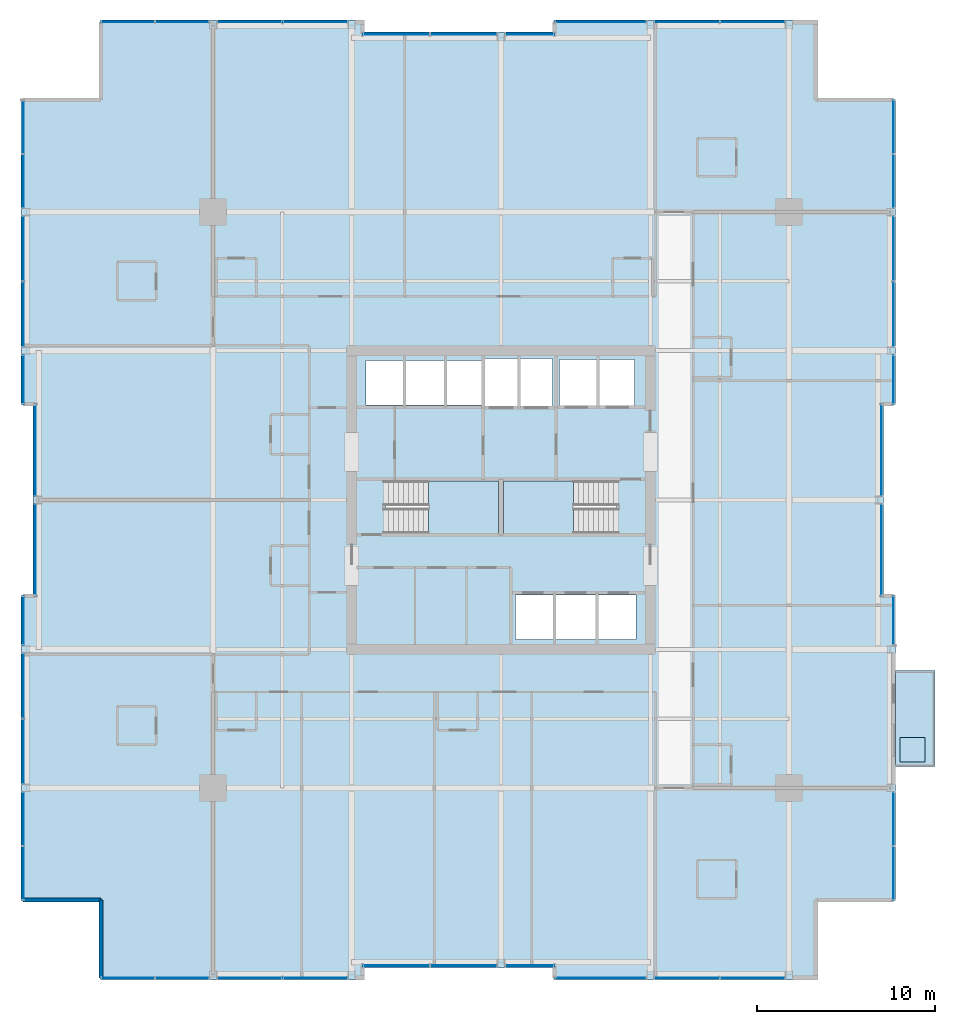
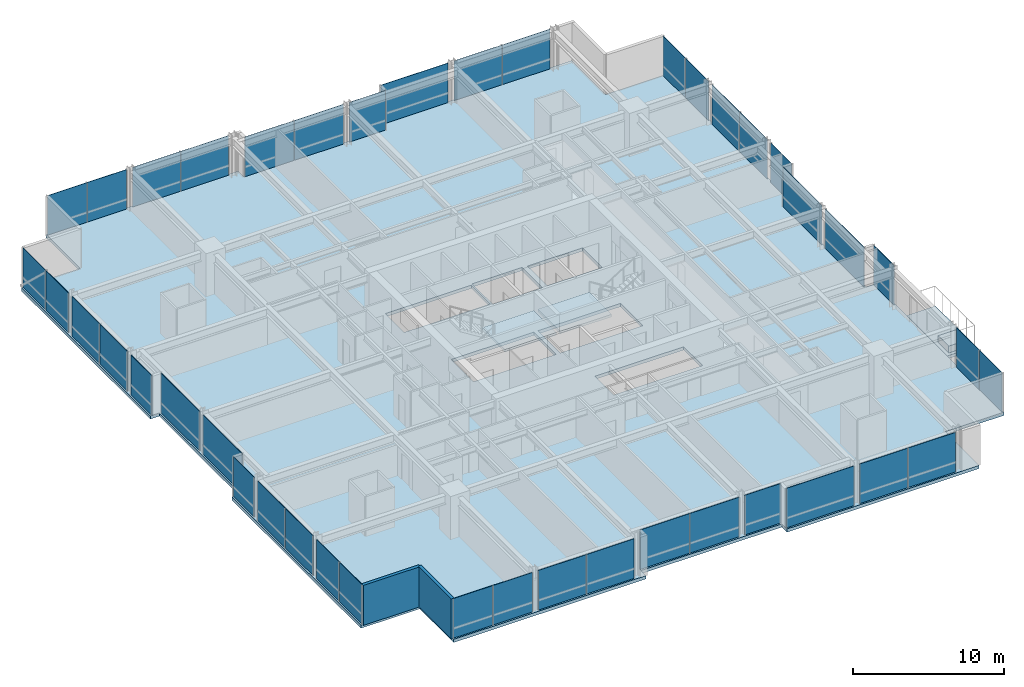
# One storey, part 27 of 33: 42 plates, 5 slabs, 2 walls, 29 elements without a shape of their own.
"""IFC4 building model written with IfcOpenShell, lengths in metres."""

from ifc_helpers import new_model, si_unit, direction, frame, frame_2d, origin, origin_2d, place, context, subcontext, project, spatial, polyline, rectangle, outline, extrude, material, layer, layer_set, type_object, element, aggregate, save


model = new_model("IFC4")

# Units and contexts
model_context = context("Model", 3, precision=1e-05, world=origin(), true_north=direction((0.0, 1.0)))
body_context = subcontext(model_context, "Body", "Model", "MODEL_VIEW")
ifc_project = project(units=[si_unit("LENGTHUNIT", "METRE"), si_unit("AREAUNIT", "SQUARE_METRE"), si_unit("VOLUMEUNIT", "CUBIC_METRE"), si_unit("PLANEANGLEUNIT", "RADIAN"), si_unit("MASSUNIT", "GRAM", prefix="KILO")], contexts=[model_context])

# Site, building, storey
site_placement = place(None, origin())
site = spatial("IfcSite", under=ifc_project, at=site_placement, CompositionType="ELEMENT")
building_placement = place(site_placement, origin())
building = spatial("IfcBuilding", under=site, at=building_placement, Name="Drelvath Grand Hotel", CompositionType="ELEMENT")
storey_placement = place(building_placement, frame((0.0, 0.0, 119.800048828125)))
storey = spatial("IfcBuildingStorey", under=building, at=storey_placement, Name="L30", CompositionType="ELEMENT", Elevation=119.800048828125)

# Slabs
ifc_material_1 = material(Name="Concrete f'c 40 MPa", Category="concrete")
ifc_layer_1 = layer(ifc_material_1, 0.239990234375)
ifc_layer_set_1 = layer_set([ifc_layer_1], Name="Concrete f'c 40 MPa")
slab_type_1 = type_object("IfcSlabType", Name="Cantilevered Tree Balcony Slab 240", PredefinedType="FLOOR", material=ifc_layer_set_1)
slab_1_placement = place(storey_placement, frame((0.0, 0.0, -0.239990234375)))
element("IfcSlab", 1, at=slab_1_placement, inside=storey, type_object=slab_type_1, Name="L30 Cantilevered Tree Balcony Slab 1", PredefinedType="FLOOR", context=body_context, shape_type="SweptSolid", body=[
    extrude(outline(polyline([(22.199951171875, 12.0), (24.39990234375, 12.0), (24.39990234375, 17.39990234375), (22.199951171875, 17.39990234375), (22.199951171875, 12.0)])), origin(), (0.0, 0.0, 1.0), 0.239990234375),
])
ifc_layer_2 = layer(ifc_material_1, 0.260009765625)
ifc_layer_set_2 = layer_set([ifc_layer_2], Name="Concrete f'c 40 MPa")
slab_type_2 = type_object("IfcSlabType", Name="Composite RC Floor Slab 260", PredefinedType="FLOOR", material=ifc_layer_set_2)
slab_2_placement = place(storey_placement, frame((0.0, 0.0, -0.260009765625)))
element("IfcSlab", 2, at=slab_2_placement, inside=storey, type_object=slab_type_2, Name="L30 Structural Floor Slab", PredefinedType="FLOOR", context=body_context, shape_type="SweptSolid", body=[
    extrude(outline(polyline([(-22.5, 0.0), (-7.800048828125, 0.0), (-7.800048828125, 0.679931640625), (3.0, 0.679931640625), (3.0, 0.0), (17.699951171875, 0.0), (17.699951171875, 4.5), (22.199951171875, 4.5), (22.199951171875, 21.60009765625), (21.52001953125, 21.60009765625), (21.52001953125, 32.39990234375), (22.199951171875, 32.39990234375), (22.199951171875, 49.5), (17.699951171875, 49.5), (17.699951171875, 54.0), (3.0, 54.0), (3.0, 53.320068359375), (-7.800048828125, 53.320068359375), (-7.800048828125, 54.0), (-22.5, 54.0), (-22.5, 49.5), (-27.0, 49.5), (-27.0, 32.39990234375), (-26.320068359375, 32.39990234375), (-26.320068359375, 21.60009765625), (-27.0, 21.60009765625), (-27.0, 4.5), (-22.5, 4.5), (-22.5, 0.0)]), holes=[polyline([(-6.47998046875, 25.1201171875), (-6.47998046875, 28.080078125), (-0.14990234375, 28.080078125), (-0.14990234375, 25.1201171875), (-6.47998046875, 25.1201171875)]), polyline([(0.14990234375, 25.1201171875), (0.14990234375, 28.080078125), (6.47998046875, 28.080078125), (6.47998046875, 25.1201171875), (0.14990234375, 25.1201171875)]), polyline([(0.800048828125, 19.14990234375), (0.800048828125, 21.64990234375), (7.60009765625, 21.64990234375), (7.60009765625, 19.14990234375), (0.800048828125, 19.14990234375)]), polyline([(-7.60009765625, 32.35009765625), (-7.60009765625, 34.85009765625), (-1.02001953125, 34.85009765625), (-1.02001953125, 32.35009765625), (-7.60009765625, 32.35009765625)]), polyline([(-0.89990234375, 32.25), (-0.89990234375, 34.949951171875), (2.89990234375, 34.949951171875), (2.89990234375, 32.25), (-0.89990234375, 32.25)]), polyline([(3.300048828125, 32.300048828125), (3.300048828125, 34.89990234375), (7.5, 34.89990234375), (7.5, 32.300048828125), (3.300048828125, 32.300048828125)])]), origin(), (0.0, 0.0, 1.0), 0.260009765625),
])

# Stair, slab
ifc_material_2 = material(Name="Concrete C40/50", Category="concrete")
stair_type = type_object("IfcStairType", Name="Dogleg Exit Stair W1400-R175.0", PredefinedType="HALF_TURN_STAIR", material=ifc_material_2)
stair_1_placement = place(storey_placement, origin())
stair_1 = element("IfcStair", 3, at=stair_1_placement, inside=storey, type_object=stair_type, Name="L30 Core Exit Stair ST-1", PredefinedType="HALF_TURN_STAIR")
ifc_layer_3 = layer(ifc_material_2, 0.199951171875)
ifc_layer_set_3 = layer_set([ifc_layer_3], Name="Concrete C40/50")
slab_type_3 = type_object("IfcSlabType", Name="Concrete Stair Landing Slab 200", PredefinedType="LANDING", material=ifc_layer_set_3)
slab_3_placement = place(storey_placement, frame((0.0, 0.0, 1.550048828125)))
slab_3 = element("IfcSlab", 4, at=slab_3_placement, type_object=slab_type_3, Name="ST-1 landing 1", PredefinedType="LANDING", context=body_context, shape_type="SweptSolid", body=[
    extrude(outline(polyline([(-4.080078125, 25.1201171875), (-0.14990234375, 25.1201171875), (-0.14990234375, 28.080078125), (-4.080078125, 28.080078125), (-4.080078125, 25.1201171875)])), origin(), (0.0, 0.0, 1.0), 0.199951171875),
])
aggregate(stair_1, [slab_3])

stair_2_placement = place(storey_placement, origin())
stair_2 = element("IfcStair", 5, at=stair_2_placement, inside=storey, type_object=stair_type, Name="L30 Core Exit Stair ST-2", PredefinedType="HALF_TURN_STAIR")
slab_4_placement = place(storey_placement, frame((0.0, 0.0, 1.550048828125)))
slab_4 = element("IfcSlab", 6, at=slab_4_placement, type_object=slab_type_3, Name="ST-2 landing 1", PredefinedType="LANDING", context=body_context, shape_type="SweptSolid", body=[
    extrude(outline(polyline([(4.080078125, 28.080078125), (0.14990234375, 28.080078125), (0.14990234375, 25.1201171875), (4.080078125, 25.1201171875), (4.080078125, 28.080078125)])), origin(), (0.0, 0.0, 1.0), 0.199951171875),
])
aggregate(stair_2, [slab_4])

# Curtain wall, plates
ifc_material_3 = material(Name="Champagne Bronze Anodised Aluminium Frame", Category="aluminium")
ifc_layer_4 = layer(ifc_material_3, 0.199951171875)
ifc_layer_set_4 = layer_set([ifc_layer_4], Name="Champagne Bronze Anodised Aluminium Frame")
curtain_wall_type = type_object("IfcCurtainWallType", Name="Stick Curtain Wall CW-03 Champagne Bronze Mid-Rise", PredefinedType="NOTDEFINED", material=ifc_layer_set_4)
curtain_wall_1_placement = place(storey_placement, origin())
curtain_wall_1 = element("IfcCurtainWall", 7, at=curtain_wall_1_placement, inside=storey, type_object=curtain_wall_type, Name="L30 CW-03 Curtain Wall CW03-L30-WS1", PredefinedType="NOTDEFINED")
ifc_material_4 = material(Name="Low-E Triple Silver Vision Glass Neutral", Category="glass")
ifc_layer_5 = layer(ifc_material_4, 0.035888671875)
ifc_layer_set_5 = layer_set([ifc_layer_5], Name="Low-E Triple Silver Vision Glass Neutral")
plate_type = type_object("IfcPlateType", Name="Curtain Wall Vision Panel CW-03 36mm", PredefinedType="CURTAIN_PANEL", material=ifc_layer_set_5)
plate_1_placement = place(storey_placement, frame((-26.8798828125, 6.022705078125, 0.02001953125), z_axis=(0.0, 0.0, 1.0), x_axis=(0.0, 1.0, 0.0)))
plate_1 = element("IfcPlate", 8, at=plate_1_placement, type_object=plate_type, Name="CW03-L30-WS1 Glazed Panel 1", PredefinedType="CURTAIN_PANEL", context=body_context, shape_type="SweptSolid", body=[
    extrude(rectangle(XDim=3.00537109375, YDim=0.035888671875, at=origin_2d()), origin(), (0.0, 0.0, 1.0), 3.199951171875),
])
plate_2_placement = place(storey_placement, frame((-26.8798828125, 9.06787109375, 0.02001953125), z_axis=(0.0, 0.0, 1.0), x_axis=(0.0, 1.0, 0.0)))
plate_2 = element("IfcPlate", 9, at=plate_2_placement, type_object=plate_type, Name="CW03-L30-WS1 Glazed Panel 2", PredefinedType="CURTAIN_PANEL", context=body_context, shape_type="SweptSolid", body=[
    extrude(rectangle(XDim=3.00537109375, YDim=0.035888671875, at=origin_2d()), origin(), (0.0, 0.0, 1.0), 3.199951171875),
])
aggregate(curtain_wall_1, [plate_1, plate_2])

curtain_wall_2_placement = place(storey_placement, origin())
curtain_wall_2 = element("IfcCurtainWall", 10, at=curtain_wall_2_placement, inside=storey, type_object=curtain_wall_type, Name="L30 CW-03 Curtain Wall CW03-L30-WS2", PredefinedType="NOTDEFINED")
plate_3_placement = place(storey_placement, frame((-26.8798828125, 12.854736328125, 0.02001953125), z_axis=(0.0, 0.0, 1.0), x_axis=(0.0, 1.0, 0.0)))
plate_3 = element("IfcPlate", 11, at=plate_3_placement, type_object=plate_type, Name="CW03-L30-WS2 Glazed Panel 1", PredefinedType="CURTAIN_PANEL", context=body_context, shape_type="SweptSolid", body=[
    extrude(rectangle(XDim=3.650634765625, YDim=0.035888671875, at=origin_2d()), origin(), (0.0, 0.0, 1.0), 3.199951171875),
])
plate_4_placement = place(storey_placement, frame((-26.8798828125, 16.54541015625, 0.02001953125), z_axis=(0.0, 0.0, 1.0), x_axis=(0.0, 1.0, 0.0)))
plate_4 = element("IfcPlate", 12, at=plate_4_placement, type_object=plate_type, Name="CW03-L30-WS2 Glazed Panel 2", PredefinedType="CURTAIN_PANEL", context=body_context, shape_type="SweptSolid", body=[
    extrude(rectangle(XDim=3.650634765625, YDim=0.035888671875, at=origin_2d()), origin(), (0.0, 0.0, 1.0), 3.199951171875),
])
aggregate(curtain_wall_2, [plate_3, plate_4])

# Curtain wall, plate
curtain_wall_3_placement = place(storey_placement, origin())
curtain_wall_3 = element("IfcCurtainWall", 13, at=curtain_wall_3_placement, inside=storey, type_object=curtain_wall_type, Name="L30 CW-03 Curtain Wall CW03-L30-WS3", PredefinedType="NOTDEFINED")
plate_5_placement = place(storey_placement, frame((-26.8798828125, 20.20458984375, 0.02001953125), z_axis=(0.0, 0.0, 1.0), x_axis=(0.0, 1.0, 0.0)))
plate_5 = element("IfcPlate", 14, at=plate_5_placement, type_object=plate_type, Name="CW03-L30-WS3 Glazed Panel 1", PredefinedType="CURTAIN_PANEL", context=body_context, shape_type="SweptSolid", body=[
    extrude(rectangle(XDim=2.75048828125, YDim=0.035888671875, at=origin_2d()), origin(), (0.0, 0.0, 1.0), 3.199951171875),
])
aggregate(curtain_wall_3, [plate_5])

curtain_wall_4_placement = place(storey_placement, origin())
curtain_wall_4 = element("IfcCurtainWall", 15, at=curtain_wall_4_placement, inside=storey, type_object=curtain_wall_type, Name="L30 CW-03 Curtain Wall CW03-L30-WM1", PredefinedType="NOTDEFINED")
plate_6_placement = place(storey_placement, frame((-26.199951171875, 24.1953125, 0.02001953125), z_axis=(0.0, 0.0, 1.0), x_axis=(0.0, 1.0, 0.0)))
plate_6 = element("IfcPlate", 16, at=plate_6_placement, type_object=plate_type, Name="CW03-L30-WM1 Glazed Panel 1", PredefinedType="CURTAIN_PANEL", context=body_context, shape_type="SweptSolid", body=[
    extrude(rectangle(XDim=5.150634765625, YDim=0.035888671875, at=origin_2d()), origin(), (0.0, 0.0, 1.0), 3.199951171875),
])
aggregate(curtain_wall_4, [plate_6])

curtain_wall_5_placement = place(storey_placement, origin())
curtain_wall_5 = element("IfcCurtainWall", 17, at=curtain_wall_5_placement, inside=storey, type_object=curtain_wall_type, Name="L30 CW-03 Curtain Wall CW03-L30-WM2", PredefinedType="NOTDEFINED")
plate_7_placement = place(storey_placement, frame((-26.199951171875, 29.8046875, 0.02001953125), z_axis=(0.0, 0.0, 1.0), x_axis=(0.0, 1.0, 0.0)))
plate_7 = element("IfcPlate", 18, at=plate_7_placement, type_object=plate_type, Name="CW03-L30-WM2 Glazed Panel 1", PredefinedType="CURTAIN_PANEL", context=body_context, shape_type="SweptSolid", body=[
    extrude(rectangle(XDim=5.150634765625, YDim=0.035888671875, at=origin_2d()), origin(), (0.0, 0.0, 1.0), 3.199951171875),
])
aggregate(curtain_wall_5, [plate_7])

curtain_wall_6_placement = place(storey_placement, origin())
curtain_wall_6 = element("IfcCurtainWall", 19, at=curtain_wall_6_placement, inside=storey, type_object=curtain_wall_type, Name="L30 CW-03 Curtain Wall CW03-L30-WN1", PredefinedType="NOTDEFINED")
plate_8_placement = place(storey_placement, frame((-26.8798828125, 33.79541015625, 0.02001953125), z_axis=(0.0, 0.0, 1.0), x_axis=(0.0, 1.0, 0.0)))
plate_8 = element("IfcPlate", 20, at=plate_8_placement, type_object=plate_type, Name="CW03-L30-WN1 Glazed Panel 1", PredefinedType="CURTAIN_PANEL", context=body_context, shape_type="SweptSolid", body=[
    extrude(rectangle(XDim=2.75048828125, YDim=0.035888671875, at=origin_2d()), origin(), (0.0, 0.0, 1.0), 3.199951171875),
])
aggregate(curtain_wall_6, [plate_8])

# Curtain wall, plates
curtain_wall_7_placement = place(storey_placement, origin())
curtain_wall_7 = element("IfcCurtainWall", 21, at=curtain_wall_7_placement, inside=storey, type_object=curtain_wall_type, Name="L30 CW-03 Curtain Wall CW03-L30-WN2", PredefinedType="NOTDEFINED")
plate_9_placement = place(storey_placement, frame((-26.8798828125, 37.45458984375, 0.02001953125), z_axis=(0.0, 0.0, 1.0), x_axis=(0.0, 1.0, 0.0)))
plate_9 = element("IfcPlate", 22, at=plate_9_placement, type_object=plate_type, Name="CW03-L30-WN2 Glazed Panel 1", PredefinedType="CURTAIN_PANEL", context=body_context, shape_type="SweptSolid", body=[
    extrude(rectangle(XDim=3.650634765625, YDim=0.035888671875, at=origin_2d()), origin(), (0.0, 0.0, 1.0), 3.199951171875),
])
plate_10_placement = place(storey_placement, frame((-26.8798828125, 41.145263671875, 0.02001953125), z_axis=(0.0, 0.0, 1.0), x_axis=(0.0, 1.0, 0.0)))
plate_10 = element("IfcPlate", 23, at=plate_10_placement, type_object=plate_type, Name="CW03-L30-WN2 Glazed Panel 2", PredefinedType="CURTAIN_PANEL", context=body_context, shape_type="SweptSolid", body=[
    extrude(rectangle(XDim=3.650634765625, YDim=0.035888671875, at=origin_2d()), origin(), (0.0, 0.0, 1.0), 3.199951171875),
])
aggregate(curtain_wall_7, [plate_9, plate_10])

curtain_wall_8_placement = place(storey_placement, origin())
curtain_wall_8 = element("IfcCurtainWall", 24, at=curtain_wall_8_placement, inside=storey, type_object=curtain_wall_type, Name="L30 CW-03 Curtain Wall CW03-L30-WN3", PredefinedType="NOTDEFINED")
plate_11_placement = place(storey_placement, frame((-26.8798828125, 44.93212890625, 0.02001953125), z_axis=(0.0, 0.0, 1.0), x_axis=(0.0, 1.0, 0.0)))
plate_11 = element("IfcPlate", 25, at=plate_11_placement, type_object=plate_type, Name="CW03-L30-WN3 Glazed Panel 1", PredefinedType="CURTAIN_PANEL", context=body_context, shape_type="SweptSolid", body=[
    extrude(rectangle(XDim=3.00537109375, YDim=0.035888671875, at=origin_2d()), origin(), (0.0, 0.0, 1.0), 3.199951171875),
])
plate_12_placement = place(storey_placement, frame((-26.8798828125, 47.977294921875, 0.02001953125), z_axis=(0.0, 0.0, 1.0), x_axis=(0.0, 1.0, 0.0)))
plate_12 = element("IfcPlate", 26, at=plate_12_placement, type_object=plate_type, Name="CW03-L30-WN3 Glazed Panel 2", PredefinedType="CURTAIN_PANEL", context=body_context, shape_type="SweptSolid", body=[
    extrude(rectangle(XDim=3.00537109375, YDim=0.035888671875, at=origin_2d()), origin(), (0.0, 0.0, 1.0), 3.199951171875),
])
aggregate(curtain_wall_8, [plate_11, plate_12])

# Curtain wall, plate
curtain_wall_9_placement = place(storey_placement, origin())
curtain_wall_9 = element("IfcCurtainWall", 27, at=curtain_wall_9_placement, inside=storey, type_object=curtain_wall_type, Name="L30 CW-03 Curtain Wall CW03-L30-EN1", PredefinedType="NOTDEFINED")
plate_13_placement = place(storey_placement, frame((22.080078125, 33.79541015625, 0.02001953125), z_axis=(0.0, 0.0, 1.0), x_axis=(0.0, -1.0, 0.0)))
plate_13 = element("IfcPlate", 28, at=plate_13_placement, type_object=plate_type, Name="CW03-L30-EN1 Glazed Panel 1", PredefinedType="CURTAIN_PANEL", context=body_context, shape_type="SweptSolid", body=[
    extrude(rectangle(XDim=2.75048828125, YDim=0.035888671875, at=origin_2d()), origin(), (0.0, 0.0, 1.0), 3.199951171875),
])
aggregate(curtain_wall_9, [plate_13])

# Curtain wall, plates
curtain_wall_10_placement = place(storey_placement, origin())
curtain_wall_10 = element("IfcCurtainWall", 29, at=curtain_wall_10_placement, inside=storey, type_object=curtain_wall_type, Name="L30 CW-03 Curtain Wall CW03-L30-EN2", PredefinedType="NOTDEFINED")
plate_14_placement = place(storey_placement, frame((22.080078125, 41.145263671875, 0.02001953125), z_axis=(0.0, 0.0, 1.0), x_axis=(0.0, -1.0, 0.0)))
plate_14 = element("IfcPlate", 30, at=plate_14_placement, type_object=plate_type, Name="CW03-L30-EN2 Glazed Panel 1", PredefinedType="CURTAIN_PANEL", context=body_context, shape_type="SweptSolid", body=[
    extrude(rectangle(XDim=3.650634765625, YDim=0.035888671875, at=origin_2d()), origin(), (0.0, 0.0, 1.0), 3.199951171875),
])
plate_15_placement = place(storey_placement, frame((22.080078125, 37.45458984375, 0.02001953125), z_axis=(0.0, 0.0, 1.0), x_axis=(0.0, -1.0, 0.0)))
plate_15 = element("IfcPlate", 31, at=plate_15_placement, type_object=plate_type, Name="CW03-L30-EN2 Glazed Panel 2", PredefinedType="CURTAIN_PANEL", context=body_context, shape_type="SweptSolid", body=[
    extrude(rectangle(XDim=3.650634765625, YDim=0.035888671875, at=origin_2d()), origin(), (0.0, 0.0, 1.0), 3.199951171875),
])
aggregate(curtain_wall_10, [plate_14, plate_15])

curtain_wall_11_placement = place(storey_placement, origin())
curtain_wall_11 = element("IfcCurtainWall", 32, at=curtain_wall_11_placement, inside=storey, type_object=curtain_wall_type, Name="L30 CW-03 Curtain Wall CW03-L30-EN3", PredefinedType="NOTDEFINED")
plate_16_placement = place(storey_placement, frame((22.080078125, 47.977294921875, 0.02001953125), z_axis=(0.0, 0.0, 1.0), x_axis=(0.0, -1.0, 0.0)))
plate_16 = element("IfcPlate", 33, at=plate_16_placement, type_object=plate_type, Name="CW03-L30-EN3 Glazed Panel 1", PredefinedType="CURTAIN_PANEL", context=body_context, shape_type="SweptSolid", body=[
    extrude(rectangle(XDim=3.00537109375, YDim=0.035888671875, at=origin_2d()), origin(), (0.0, 0.0, 1.0), 3.199951171875),
])
plate_17_placement = place(storey_placement, frame((22.080078125, 44.93212890625, 0.02001953125), z_axis=(0.0, 0.0, 1.0), x_axis=(0.0, -1.0, 0.0)))
plate_17 = element("IfcPlate", 34, at=plate_17_placement, type_object=plate_type, Name="CW03-L30-EN3 Glazed Panel 2", PredefinedType="CURTAIN_PANEL", context=body_context, shape_type="SweptSolid", body=[
    extrude(rectangle(XDim=3.00537109375, YDim=0.035888671875, at=origin_2d()), origin(), (0.0, 0.0, 1.0), 3.199951171875),
])
aggregate(curtain_wall_11, [plate_16, plate_17])

# Curtain wall, plate
curtain_wall_12_placement = place(storey_placement, origin())
curtain_wall_12 = element("IfcCurtainWall", 35, at=curtain_wall_12_placement, inside=storey, type_object=curtain_wall_type, Name="L30 CW-03 Curtain Wall CW03-L30-EM1", PredefinedType="NOTDEFINED")
plate_18_placement = place(storey_placement, frame((21.39990234375, 24.1953125, 0.02001953125), z_axis=(0.0, 0.0, 1.0), x_axis=(0.0, -1.0, 0.0)))
plate_18 = element("IfcPlate", 36, at=plate_18_placement, type_object=plate_type, Name="CW03-L30-EM1 Glazed Panel 1", PredefinedType="CURTAIN_PANEL", context=body_context, shape_type="SweptSolid", body=[
    extrude(rectangle(XDim=5.150634765625, YDim=0.035888671875, at=origin_2d()), origin(), (0.0, 0.0, 1.0), 3.199951171875),
])
aggregate(curtain_wall_12, [plate_18])

curtain_wall_13_placement = place(storey_placement, origin())
curtain_wall_13 = element("IfcCurtainWall", 37, at=curtain_wall_13_placement, inside=storey, type_object=curtain_wall_type, Name="L30 CW-03 Curtain Wall CW03-L30-EM2", PredefinedType="NOTDEFINED")
plate_19_placement = place(storey_placement, frame((21.39990234375, 29.8046875, 0.02001953125), z_axis=(0.0, 0.0, 1.0), x_axis=(0.0, -1.0, 0.0)))
plate_19 = element("IfcPlate", 38, at=plate_19_placement, type_object=plate_type, Name="CW03-L30-EM2 Glazed Panel 1", PredefinedType="CURTAIN_PANEL", context=body_context, shape_type="SweptSolid", body=[
    extrude(rectangle(XDim=5.150634765625, YDim=0.035888671875, at=origin_2d()), origin(), (0.0, 0.0, 1.0), 3.199951171875),
])
aggregate(curtain_wall_13, [plate_19])

# Curtain wall, plates
curtain_wall_14_placement = place(storey_placement, origin())
curtain_wall_14 = element("IfcCurtainWall", 39, at=curtain_wall_14_placement, inside=storey, type_object=curtain_wall_type, Name="L30 CW-03 Curtain Wall CW03-L30-ES1", PredefinedType="NOTDEFINED")
plate_20_placement = place(storey_placement, frame((22.080078125, 9.06787109375, 0.02001953125), z_axis=(0.0, 0.0, 1.0), x_axis=(0.0, -1.0, 0.0)))
plate_20 = element("IfcPlate", 40, at=plate_20_placement, type_object=plate_type, Name="CW03-L30-ES1 Glazed Panel 1", PredefinedType="CURTAIN_PANEL", context=body_context, shape_type="SweptSolid", body=[
    extrude(rectangle(XDim=3.00537109375, YDim=0.035888671875, at=origin_2d()), origin(), (0.0, 0.0, 1.0), 3.199951171875),
])
plate_21_placement = place(storey_placement, frame((22.080078125, 6.022705078125, 0.02001953125), z_axis=(0.0, 0.0, 1.0), x_axis=(0.0, -1.0, 0.0)))
plate_21 = element("IfcPlate", 41, at=plate_21_placement, type_object=plate_type, Name="CW03-L30-ES1 Glazed Panel 2", PredefinedType="CURTAIN_PANEL", context=body_context, shape_type="SweptSolid", body=[
    extrude(rectangle(XDim=3.00537109375, YDim=0.035888671875, at=origin_2d()), origin(), (0.0, 0.0, 1.0), 3.199951171875),
])
aggregate(curtain_wall_14, [plate_20, plate_21])

# Curtain wall, plate
curtain_wall_15_placement = place(storey_placement, origin())
curtain_wall_15 = element("IfcCurtainWall", 42, at=curtain_wall_15_placement, inside=storey, type_object=curtain_wall_type, Name="L30 CW-03 Curtain Wall CW03-L30-ES3", PredefinedType="NOTDEFINED")
plate_22_placement = place(storey_placement, frame((22.080078125, 20.20458984375, 0.02001953125), z_axis=(0.0, 0.0, 1.0), x_axis=(0.0, -1.0, 0.0)))
plate_22 = element("IfcPlate", 43, at=plate_22_placement, type_object=plate_type, Name="CW03-L30-ES3 Glazed Panel 1", PredefinedType="CURTAIN_PANEL", context=body_context, shape_type="SweptSolid", body=[
    extrude(rectangle(XDim=2.75048828125, YDim=0.035888671875, at=origin_2d()), origin(), (0.0, 0.0, 1.0), 3.199951171875),
])
aggregate(curtain_wall_15, [plate_22])

# Curtain wall, plates
curtain_wall_16_placement = place(storey_placement, origin())
curtain_wall_16 = element("IfcCurtainWall", 44, at=curtain_wall_16_placement, inside=storey, type_object=curtain_wall_type, Name="L30 CW-03 Curtain Wall CW03-L30-NW1", PredefinedType="NOTDEFINED")
plate_23_placement = place(storey_placement, frame((-20.977294921875, 53.8798828125, 0.02001953125), z_axis=(0.0, 0.0, 1.0), x_axis=(1.0, 0.0, 0.0)))
plate_23 = element("IfcPlate", 45, at=plate_23_placement, type_object=plate_type, Name="CW03-L30-NW1 Glazed Panel 1", PredefinedType="CURTAIN_PANEL", context=body_context, shape_type="SweptSolid", body=[
    extrude(rectangle(XDim=3.00537109375, YDim=0.035888671875, at=origin_2d()), origin(), (0.0, 0.0, 1.0), 3.199951171875),
])
plate_24_placement = place(storey_placement, frame((-17.93212890625, 53.8798828125, 0.02001953125), z_axis=(0.0, 0.0, 1.0), x_axis=(1.0, 0.0, 0.0)))
plate_24 = element("IfcPlate", 46, at=plate_24_placement, type_object=plate_type, Name="CW03-L30-NW1 Glazed Panel 2", PredefinedType="CURTAIN_PANEL", context=body_context, shape_type="SweptSolid", body=[
    extrude(rectangle(XDim=3.00537109375, YDim=0.035888671875, at=origin_2d()), origin(), (0.0, 0.0, 1.0), 3.199951171875),
])
aggregate(curtain_wall_16, [plate_23, plate_24])

curtain_wall_17_placement = place(storey_placement, origin())
curtain_wall_17 = element("IfcCurtainWall", 47, at=curtain_wall_17_placement, inside=storey, type_object=curtain_wall_type, Name="L30 CW-03 Curtain Wall CW03-L30-NW2", PredefinedType="NOTDEFINED")
plate_25_placement = place(storey_placement, frame((-14.145263671875, 53.8798828125, 0.02001953125), z_axis=(0.0, 0.0, 1.0), x_axis=(1.0, 0.0, 0.0)))
plate_25 = element("IfcPlate", 48, at=plate_25_placement, type_object=plate_type, Name="CW03-L30-NW2 Glazed Panel 1", PredefinedType="CURTAIN_PANEL", context=body_context, shape_type="SweptSolid", body=[
    extrude(rectangle(XDim=3.650634765625, YDim=0.035888671875, at=origin_2d()), origin(), (0.0, 0.0, 1.0), 3.199951171875),
])
plate_26_placement = place(storey_placement, frame((-10.45458984375, 53.8798828125, 0.02001953125), z_axis=(0.0, 0.0, 1.0), x_axis=(1.0, 0.0, 0.0)))
plate_26 = element("IfcPlate", 49, at=plate_26_placement, type_object=plate_type, Name="CW03-L30-NW2 Glazed Panel 2", PredefinedType="CURTAIN_PANEL", context=body_context, shape_type="SweptSolid", body=[
    extrude(rectangle(XDim=3.650634765625, YDim=0.035888671875, at=origin_2d()), origin(), (0.0, 0.0, 1.0), 3.199951171875),
])
aggregate(curtain_wall_17, [plate_25, plate_26])

curtain_wall_18_placement = place(storey_placement, origin())
curtain_wall_18 = element("IfcCurtainWall", 50, at=curtain_wall_18_placement, inside=storey, type_object=curtain_wall_type, Name="L30 CW-03 Curtain Wall CW03-L30-NM1", PredefinedType="NOTDEFINED")
plate_27_placement = place(storey_placement, frame((-5.90234375, 53.199951171875, 0.02001953125), z_axis=(0.0, 0.0, 1.0), x_axis=(1.0, 0.0, 0.0)))
plate_27 = element("IfcPlate", 51, at=plate_27_placement, type_object=plate_type, Name="CW03-L30-NM1 Glazed Panel 1", PredefinedType="CURTAIN_PANEL", context=body_context, shape_type="SweptSolid", body=[
    extrude(rectangle(XDim=3.75537109375, YDim=0.035888671875, at=origin_2d()), origin(), (0.0, 0.0, 1.0), 3.199951171875),
])
plate_28_placement = place(storey_placement, frame((-2.107177734375, 53.199951171875, 0.02001953125), z_axis=(0.0, 0.0, 1.0), x_axis=(1.0, 0.0, 0.0)))
plate_28 = element("IfcPlate", 52, at=plate_28_placement, type_object=plate_type, Name="CW03-L30-NM1 Glazed Panel 2", PredefinedType="CURTAIN_PANEL", context=body_context, shape_type="SweptSolid", body=[
    extrude(rectangle(XDim=3.75537109375, YDim=0.035888671875, at=origin_2d()), origin(), (0.0, 0.0, 1.0), 3.199951171875),
])
aggregate(curtain_wall_18, [plate_27, plate_28])

# Curtain wall, plate
curtain_wall_19_placement = place(storey_placement, origin())
curtain_wall_19 = element("IfcCurtainWall", 53, at=curtain_wall_19_placement, inside=storey, type_object=curtain_wall_type, Name="L30 CW-03 Curtain Wall CW03-L30-NM2", PredefinedType="NOTDEFINED")
plate_29_placement = place(storey_placement, frame((1.604736328125, 53.199951171875, 0.02001953125), z_axis=(0.0, 0.0, 1.0), x_axis=(1.0, 0.0, 0.0)))
plate_29 = element("IfcPlate", 54, at=plate_29_placement, type_object=plate_type, Name="CW03-L30-NM2 Glazed Panel 1", PredefinedType="CURTAIN_PANEL", context=body_context, shape_type="SweptSolid", body=[
    extrude(rectangle(XDim=2.75048828125, YDim=0.035888671875, at=origin_2d()), origin(), (0.0, 0.0, 1.0), 3.199951171875),
])
aggregate(curtain_wall_19, [plate_29])

curtain_wall_20_placement = place(storey_placement, origin())
curtain_wall_20 = element("IfcCurtainWall", 55, at=curtain_wall_20_placement, inside=storey, type_object=curtain_wall_type, Name="L30 CW-03 Curtain Wall CW03-L30-NE1", PredefinedType="NOTDEFINED")
plate_30_placement = place(storey_placement, frame((5.59521484375, 53.8798828125, 0.02001953125), z_axis=(0.0, 0.0, 1.0), x_axis=(1.0, 0.0, 0.0)))
plate_30 = element("IfcPlate", 56, at=plate_30_placement, type_object=plate_type, Name="CW03-L30-NE1 Glazed Panel 1", PredefinedType="CURTAIN_PANEL", context=body_context, shape_type="SweptSolid", body=[
    extrude(rectangle(XDim=5.150634765625, YDim=0.035888671875, at=origin_2d()), origin(), (0.0, 0.0, 1.0), 3.199951171875),
])
aggregate(curtain_wall_20, [plate_30])

# Curtain wall, plates
curtain_wall_21_placement = place(storey_placement, origin())
curtain_wall_21 = element("IfcCurtainWall", 57, at=curtain_wall_21_placement, inside=storey, type_object=curtain_wall_type, Name="L30 CW-03 Curtain Wall CW03-L30-NE2", PredefinedType="NOTDEFINED")
plate_31_placement = place(storey_placement, frame((10.45458984375, 53.8798828125, 0.02001953125), z_axis=(0.0, 0.0, 1.0), x_axis=(1.0, 0.0, 0.0)))
plate_31 = element("IfcPlate", 58, at=plate_31_placement, type_object=plate_type, Name="CW03-L30-NE2 Glazed Panel 1", PredefinedType="CURTAIN_PANEL", context=body_context, shape_type="SweptSolid", body=[
    extrude(rectangle(XDim=3.650634765625, YDim=0.035888671875, at=origin_2d()), origin(), (0.0, 0.0, 1.0), 3.199951171875),
])
plate_32_placement = place(storey_placement, frame((14.145263671875, 53.8798828125, 0.02001953125), z_axis=(0.0, 0.0, 1.0), x_axis=(1.0, 0.0, 0.0)))
plate_32 = element("IfcPlate", 59, at=plate_32_placement, type_object=plate_type, Name="CW03-L30-NE2 Glazed Panel 2", PredefinedType="CURTAIN_PANEL", context=body_context, shape_type="SweptSolid", body=[
    extrude(rectangle(XDim=3.650634765625, YDim=0.035888671875, at=origin_2d()), origin(), (0.0, 0.0, 1.0), 3.199951171875),
])
aggregate(curtain_wall_21, [plate_31, plate_32])

# Curtain wall, plate
curtain_wall_22_placement = place(storey_placement, origin())
curtain_wall_22 = element("IfcCurtainWall", 60, at=curtain_wall_22_placement, inside=storey, type_object=curtain_wall_type, Name="L30 CW-03 Curtain Wall CW03-L30-SE1", PredefinedType="NOTDEFINED")
plate_33_placement = place(storey_placement, frame((5.59521484375, 0.1201171875, 0.02001953125), z_axis=(0.0, 0.0, 1.0), x_axis=(-1.0, 0.0, 0.0)))
plate_33 = element("IfcPlate", 61, at=plate_33_placement, type_object=plate_type, Name="CW03-L30-SE1 Glazed Panel 1", PredefinedType="CURTAIN_PANEL", context=body_context, shape_type="SweptSolid", body=[
    extrude(rectangle(XDim=5.150634765625, YDim=0.035888671875, at=origin_2d()), origin(), (0.0, 0.0, 1.0), 3.199951171875),
])
aggregate(curtain_wall_22, [plate_33])

# Curtain wall, plates
curtain_wall_23_placement = place(storey_placement, origin())
curtain_wall_23 = element("IfcCurtainWall", 62, at=curtain_wall_23_placement, inside=storey, type_object=curtain_wall_type, Name="L30 CW-03 Curtain Wall CW03-L30-SE2", PredefinedType="NOTDEFINED")
plate_34_placement = place(storey_placement, frame((14.145263671875, 0.1201171875, 0.02001953125), z_axis=(0.0, 0.0, 1.0), x_axis=(-1.0, 0.0, 0.0)))
plate_34 = element("IfcPlate", 63, at=plate_34_placement, type_object=plate_type, Name="CW03-L30-SE2 Glazed Panel 1", PredefinedType="CURTAIN_PANEL", context=body_context, shape_type="SweptSolid", body=[
    extrude(rectangle(XDim=3.650634765625, YDim=0.035888671875, at=origin_2d()), origin(), (0.0, 0.0, 1.0), 3.199951171875),
])
plate_35_placement = place(storey_placement, frame((10.45458984375, 0.1201171875, 0.02001953125), z_axis=(0.0, 0.0, 1.0), x_axis=(-1.0, 0.0, 0.0)))
plate_35 = element("IfcPlate", 64, at=plate_35_placement, type_object=plate_type, Name="CW03-L30-SE2 Glazed Panel 2", PredefinedType="CURTAIN_PANEL", context=body_context, shape_type="SweptSolid", body=[
    extrude(rectangle(XDim=3.650634765625, YDim=0.035888671875, at=origin_2d()), origin(), (0.0, 0.0, 1.0), 3.199951171875),
])
aggregate(curtain_wall_23, [plate_34, plate_35])

curtain_wall_24_placement = place(storey_placement, origin())
curtain_wall_24 = element("IfcCurtainWall", 65, at=curtain_wall_24_placement, inside=storey, type_object=curtain_wall_type, Name="L30 CW-03 Curtain Wall CW03-L30-SM1", PredefinedType="NOTDEFINED")
plate_36_placement = place(storey_placement, frame((-2.107177734375, 0.800048828125, 0.02001953125), z_axis=(0.0, 0.0, 1.0), x_axis=(-1.0, 0.0, 0.0)))
plate_36 = element("IfcPlate", 66, at=plate_36_placement, type_object=plate_type, Name="CW03-L30-SM1 Glazed Panel 1", PredefinedType="CURTAIN_PANEL", context=body_context, shape_type="SweptSolid", body=[
    extrude(rectangle(XDim=3.75537109375, YDim=0.035888671875, at=origin_2d()), origin(), (0.0, 0.0, 1.0), 3.199951171875),
])
plate_37_placement = place(storey_placement, frame((-5.90234375, 0.800048828125, 0.02001953125), z_axis=(0.0, 0.0, 1.0), x_axis=(-1.0, 0.0, 0.0)))
plate_37 = element("IfcPlate", 67, at=plate_37_placement, type_object=plate_type, Name="CW03-L30-SM1 Glazed Panel 2", PredefinedType="CURTAIN_PANEL", context=body_context, shape_type="SweptSolid", body=[
    extrude(rectangle(XDim=3.75537109375, YDim=0.035888671875, at=origin_2d()), origin(), (0.0, 0.0, 1.0), 3.199951171875),
])
aggregate(curtain_wall_24, [plate_36, plate_37])

# Curtain wall, plate
curtain_wall_25_placement = place(storey_placement, origin())
curtain_wall_25 = element("IfcCurtainWall", 68, at=curtain_wall_25_placement, inside=storey, type_object=curtain_wall_type, Name="L30 CW-03 Curtain Wall CW03-L30-SM2", PredefinedType="NOTDEFINED")
plate_38_placement = place(storey_placement, frame((1.604736328125, 0.800048828125, 0.02001953125), z_axis=(0.0, 0.0, 1.0), x_axis=(-1.0, 0.0, 0.0)))
plate_38 = element("IfcPlate", 69, at=plate_38_placement, type_object=plate_type, Name="CW03-L30-SM2 Glazed Panel 1", PredefinedType="CURTAIN_PANEL", context=body_context, shape_type="SweptSolid", body=[
    extrude(rectangle(XDim=2.75048828125, YDim=0.035888671875, at=origin_2d()), origin(), (0.0, 0.0, 1.0), 3.199951171875),
])
aggregate(curtain_wall_25, [plate_38])

# Curtain wall, plates
curtain_wall_26_placement = place(storey_placement, origin())
curtain_wall_26 = element("IfcCurtainWall", 70, at=curtain_wall_26_placement, inside=storey, type_object=curtain_wall_type, Name="L30 CW-03 Curtain Wall CW03-L30-SW1", PredefinedType="NOTDEFINED")
plate_39_placement = place(storey_placement, frame((-17.93212890625, 0.1201171875, 0.02001953125), z_axis=(0.0, 0.0, 1.0), x_axis=(-1.0, 0.0, 0.0)))
plate_39 = element("IfcPlate", 71, at=plate_39_placement, type_object=plate_type, Name="CW03-L30-SW1 Glazed Panel 1", PredefinedType="CURTAIN_PANEL", context=body_context, shape_type="SweptSolid", body=[
    extrude(rectangle(XDim=3.00537109375, YDim=0.035888671875, at=origin_2d()), origin(), (0.0, 0.0, 1.0), 3.199951171875),
])
plate_40_placement = place(storey_placement, frame((-20.977294921875, 0.1201171875, 0.02001953125), z_axis=(0.0, 0.0, 1.0), x_axis=(-1.0, 0.0, 0.0)))
plate_40 = element("IfcPlate", 72, at=plate_40_placement, type_object=plate_type, Name="CW03-L30-SW1 Glazed Panel 2", PredefinedType="CURTAIN_PANEL", context=body_context, shape_type="SweptSolid", body=[
    extrude(rectangle(XDim=3.00537109375, YDim=0.035888671875, at=origin_2d()), origin(), (0.0, 0.0, 1.0), 3.199951171875),
])
aggregate(curtain_wall_26, [plate_39, plate_40])

curtain_wall_27_placement = place(storey_placement, origin())
curtain_wall_27 = element("IfcCurtainWall", 73, at=curtain_wall_27_placement, inside=storey, type_object=curtain_wall_type, Name="L30 CW-03 Curtain Wall CW03-L30-SW2", PredefinedType="NOTDEFINED")
plate_41_placement = place(storey_placement, frame((-10.45458984375, 0.1201171875, 0.02001953125), z_axis=(0.0, 0.0, 1.0), x_axis=(-1.0, 0.0, 0.0)))
plate_41 = element("IfcPlate", 74, at=plate_41_placement, type_object=plate_type, Name="CW03-L30-SW2 Glazed Panel 1", PredefinedType="CURTAIN_PANEL", context=body_context, shape_type="SweptSolid", body=[
    extrude(rectangle(XDim=3.650634765625, YDim=0.035888671875, at=origin_2d()), origin(), (0.0, 0.0, 1.0), 3.199951171875),
])
plate_42_placement = place(storey_placement, frame((-14.145263671875, 0.1201171875, 0.02001953125), z_axis=(0.0, 0.0, 1.0), x_axis=(-1.0, 0.0, 0.0)))
plate_42 = element("IfcPlate", 75, at=plate_42_placement, type_object=plate_type, Name="CW03-L30-SW2 Glazed Panel 2", PredefinedType="CURTAIN_PANEL", context=body_context, shape_type="SweptSolid", body=[
    extrude(rectangle(XDim=3.650634765625, YDim=0.035888671875, at=origin_2d()), origin(), (0.0, 0.0, 1.0), 3.199951171875),
])
aggregate(curtain_wall_27, [plate_41, plate_42])

# Slab
ifc_layer_6 = layer(ifc_material_1, 0.550048828125)
ifc_layer_set_6 = layer_set([ifc_layer_6], Name="Concrete f'c 40 MPa")
slab_type_4 = type_object("IfcSlabType", Name="Structural Tree Planter Box 550", PredefinedType="USERDEFINED", material=ifc_layer_set_6)
slab_5_placement = place(storey_placement, origin())
element("IfcSlab", 76, at=slab_5_placement, inside=storey, type_object=slab_type_4, Name="L30 Tree Balcony Structural Planter 1", ObjectType="PLANTER", PredefinedType="USERDEFINED", context=body_context, shape_type="SweptSolid", body=[
    extrude(outline(polyline([(22.449951171875, 12.25), (23.85009765625, 12.25), (23.85009765625, 13.64990234375), (22.449951171875, 13.64990234375), (22.449951171875, 12.25)])), origin(), (0.0, 0.0, 1.0), 0.550048828125),
])

# Walls
ifc_material_5 = material(Name="Pale-Metal Insulated Aluminium Spandrel Assembly", Category="aluminium")
ifc_layer_7 = layer(ifc_material_5, 0.239990234375)
ifc_layer_set_7 = layer_set([ifc_layer_7], Name="Pale-Metal Insulated Aluminium Spandrel Assembly")
wall_type = type_object("IfcWallType", Name="Tower Insulated Metal Spandrel Closure Wall 240", PredefinedType="STANDARD", material=ifc_layer_set_7)
for number, where, z_axis, x_axis, name in (
    (77, (-22.5, 0.1201171875, 0.0), (0.0, 0.0, 1.0), (0.0, 1.0, 0.0), "L30 Notched Corner Return Spandrel Wall CSW1"),
    (78, (-22.5, 4.5, 0.0), (0.0, 0.0, 1.0), (-1.0, 0.0, 0.0), "L30 Notched Corner Return Spandrel Wall CSW2"),
):
    element("IfcWall", number, at=place(storey_placement, frame(where, z_axis=z_axis, x_axis=x_axis)), inside=storey, type_object=wall_type, Name=name, PredefinedType="STANDARD", context=body_context, shape_type="SweptSolid", body=[
        extrude(rectangle(XDim=4.3798828125, YDim=0.239990234375, at=frame_2d((2.18994140625, 0.0))), origin(), (0.0, 0.0, 1.0), 3.239990234375),
    ])

save(model, "model.ifc")
